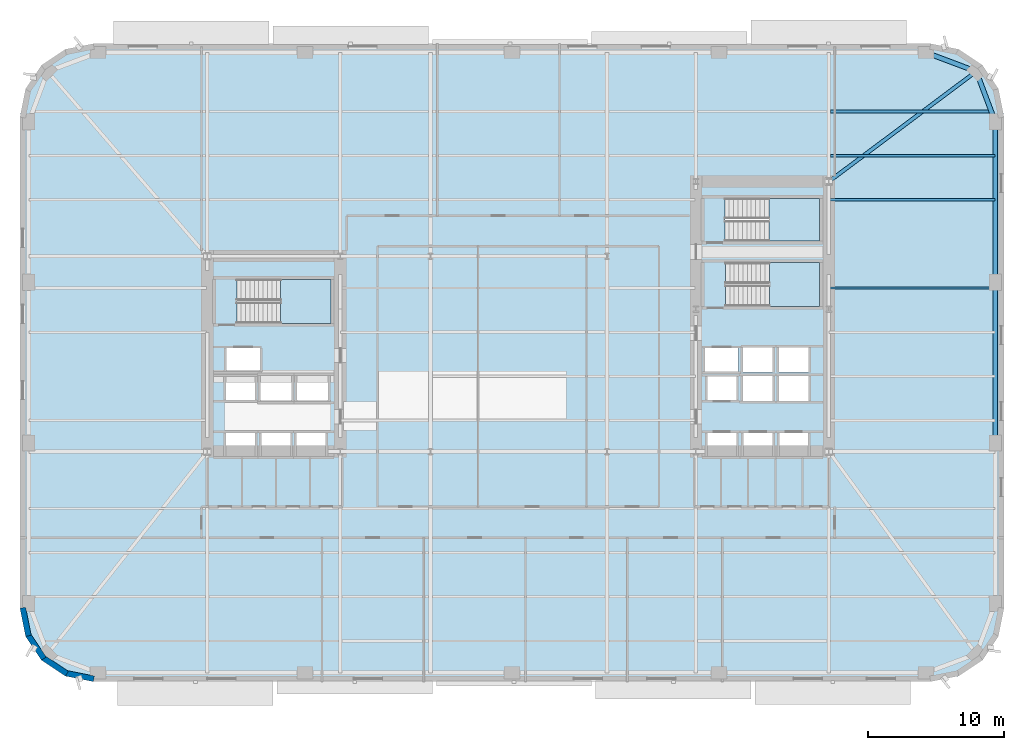
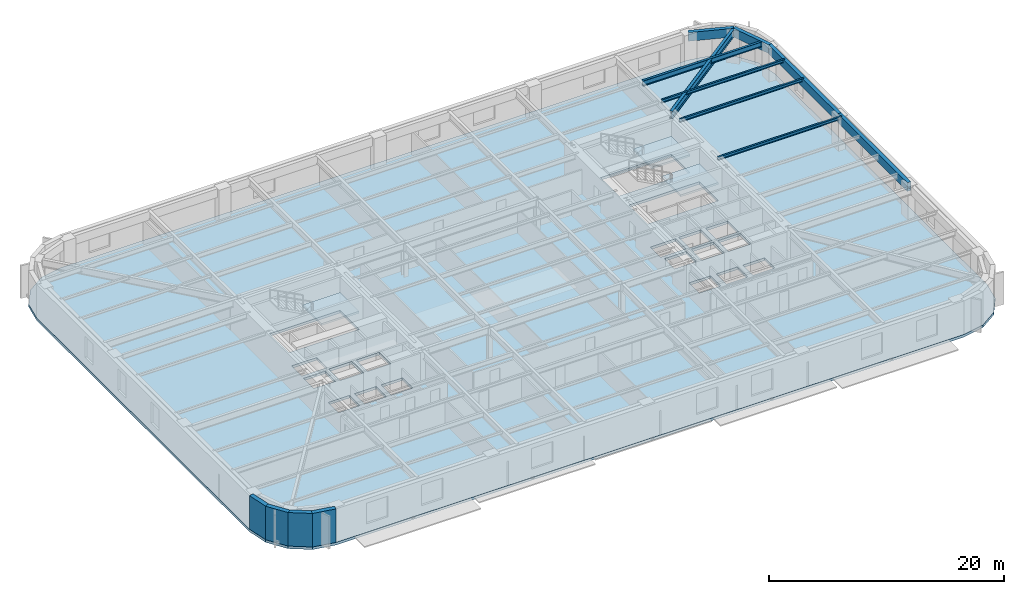
# One storey, part 3 of 15: 9 beams, 4 slabs, 4 walls, 3 elements without a shape of their own.
"""IFC4 building model written with IfcOpenShell, lengths in metres."""

from ifc_helpers import new_model, si_unit, direction, frame, frame_2d, origin, origin_2d, place, context, subcontext, project, spatial, polyline, rectangle, hollow_rectangle, i_section, outline, extrude, material, layer, layer_set, material_profile, profile_set, type_object, element, aggregate, save


model = new_model("IFC4")

# Units and contexts
model_context = context("Model", 3, precision=1e-05, world=origin(), true_north=direction((0.0, 1.0)))
body_context = subcontext(model_context, "Body", "Model", "MODEL_VIEW")
ifc_project = project(units=[si_unit("LENGTHUNIT", "METRE"), si_unit("AREAUNIT", "SQUARE_METRE"), si_unit("VOLUMEUNIT", "CUBIC_METRE"), si_unit("PLANEANGLEUNIT", "RADIAN"), si_unit("MASSUNIT", "GRAM", prefix="KILO")], contexts=[model_context])

# Site, building, storey
site_placement = place(None, origin())
site = spatial("IfcSite", under=ifc_project, at=site_placement, CompositionType="ELEMENT")
building_placement = place(site_placement, origin())
building = spatial("IfcBuilding", under=site, at=building_placement, Name="Kolvaren Arena Tower", CompositionType="ELEMENT")
storey_placement = place(building_placement, frame((0.0, 0.0, 72.0)))
storey = spatial("IfcBuildingStorey", under=building, at=storey_placement, Name="L15", CompositionType="ELEMENT", Elevation=72.0)

# Beams
ifc_material_1 = material(Name="Steel CSA G40.21 350W", Category="steel")
ifc_material_profile_1 = material_profile(ifc_material_1, i_section(OverallWidth=0.2119140625, OverallDepth=0.54296875, WebThickness=0.01318359375, FlangeThickness=0.0244140625, FilletRadius=0.013916015625, at=origin_2d()), Name="W530x150")
ifc_profile_set_1 = profile_set([ifc_material_profile_1], Name="Steel CSA G40.21 350W")
beam_type_1 = type_object("IfcBeamType", Name="BEAM-F1", PredefinedType="BEAM", material=ifc_profile_set_1)
beam_1_placement = place(storey_placement, frame((60.485107421875, 44.5, 3.20849609375), z_axis=(1.0, 0.0, 0.0), x_axis=(0.0, 1.0, 0.0)))
element("IfcBeam", 1, at=beam_1_placement, inside=storey, type_object=beam_type_1, Name="Composite Floor Beam (L15)", PredefinedType="BEAM", context=body_context, shape_type="SweptSolid", body=[
    extrude(i_section(OverallWidth=0.2119140625, OverallDepth=0.54296875, WebThickness=0.01318359375, FlangeThickness=0.0244140625, FilletRadius=0.013916015625, at=origin_2d()), origin(), (0.0, 0.0, 1.0), 11.83349609375),
])
ifc_material_profile_2 = material_profile(ifc_material_1, i_section(OverallWidth=0.27001953125, OverallDepth=0.77294921875, WebThickness=0.019287109375, FlangeThickness=0.033447265625, FilletRadius=0.01806640625, at=origin_2d()), Name="W760x257")
ifc_profile_set_2 = profile_set([ifc_material_profile_2], Name="Steel CSA G40.21 350W")
beam_type_2 = type_object("IfcBeamType", Name="GIRD-T1", PredefinedType="BEAM", material=ifc_profile_set_2)
beam_2_placement = place(storey_placement, frame((71.208740234375, 47.458740234375, 3.093505859375), z_axis=(-0.801249936397, -0.598329791523, 0.0), x_axis=(0.598329791523, -0.801249936397, 0.0)))
element("IfcBeam", 2, at=beam_2_placement, inside=storey, type_object=beam_type_2, Name="Corner Diagonal Tie Girder (L15)", PredefinedType="BEAM", context=body_context, shape_type="SweptSolid", body=[
    extrude(i_section(OverallWidth=0.27001953125, OverallDepth=0.77294921875, WebThickness=0.019287109375, FlangeThickness=0.033447265625, FilletRadius=0.01806640625, at=origin_2d()), origin(), (0.0, 0.0, 1.0), 13.55224609375),
])
ifc_material_profile_3 = material_profile(ifc_material_1, i_section(OverallWidth=0.1669921875, OverallDepth=0.31689453125, WebThickness=0.007568359375, FlangeThickness=0.01318359375, FilletRadius=0.010009765625, at=origin_2d()), Name="W310x52")
ifc_profile_set_3 = profile_set([ifc_material_profile_3], Name="Steel CSA G40.21 350W")
beam_type_3 = type_object("IfcBeamType", Name="JOIST-02", PredefinedType="JOIST", material=ifc_profile_set_3)
for number, where, z_axis, x_axis, name in (
    (3, (60.3701171875, 31.5, 3.321533203125), (1.0, 0.0, 0.0), (0.0, 1.0, 0.0), "Composite Floor Joist (L15)"),
    (4, (60.3701171875, 38.0, 3.321533203125), (1.0, 0.0, 0.0), (0.0, 1.0, 0.0), "Composite Floor Joist (L15)"),
):
    element("IfcBeam", number, at=place(storey_placement, frame(where, z_axis=z_axis, x_axis=x_axis)), inside=storey, type_object=beam_type_3, Name=name, PredefinedType="JOIST", context=body_context, shape_type="SweptSolid", body=[
        extrude(i_section(OverallWidth=0.1669921875, OverallDepth=0.31689453125, WebThickness=0.007568359375, FlangeThickness=0.01318359375, FilletRadius=0.010009765625, at=origin_2d()), origin(), (0.0, 0.0, 1.0), 12.22998046875),
    ])
beam_3_placement = place(storey_placement, frame((60.485107421875, 41.25, 3.321533203125), z_axis=(1.0, 0.0, 0.0), x_axis=(0.0, 1.0, 0.0)))
element("IfcBeam", 5, at=beam_3_placement, inside=storey, type_object=beam_type_3, Name="Composite Floor Joist (L15)", PredefinedType="JOIST", context=body_context, shape_type="SweptSolid", body=[
    extrude(i_section(OverallWidth=0.1669921875, OverallDepth=0.31689453125, WebThickness=0.007568359375, FlangeThickness=0.01318359375, FilletRadius=0.010009765625, at=origin_2d()), origin(), (0.0, 0.0, 1.0), 12.114990234375),
])
ifc_material_2 = material(Name="Steel CSA G40.21 350WT", Category="steel")
ifc_material_profile_4 = material_profile(ifc_material_2, hollow_rectangle(XDim=0.35009765625, YDim=0.89990234375, WallThickness=0.02001953125, at=origin_2d()), Name="HSS 900x350x20")
ifc_profile_set_4 = profile_set([ifc_material_profile_4], Name="Steel CSA G40.21 350WT")
beam_type_4 = type_object("IfcBeamType", Name="SPAND-01", PredefinedType="SPANDREL", material=ifc_profile_set_4)
beam_4_placement = place(storey_placement, frame((72.60009765625, 20.083251953125, 3.030029296875), z_axis=(0.0, 1.0, 0.0), x_axis=(-1.0, 0.0, 0.0)))
element("IfcBeam", 6, at=beam_4_placement, inside=storey, type_object=beam_type_4, Name="Perimeter Spandrel Beam (L15)", PredefinedType="SPANDREL", context=body_context, shape_type="SweptSolid", body=[
    extrude(hollow_rectangle(XDim=0.35009765625, YDim=0.89990234375, WallThickness=0.02001953125, at=origin_2d()), origin(), (0.0, 0.0, 1.0), 11.83349609375),
])
beam_5_placement = place(storey_placement, frame((72.60009765625, 31.916748046875, 3.030029296875), z_axis=(0.0, 1.0, 0.0), x_axis=(-1.0, 0.0, 0.0)))
element("IfcBeam", 7, at=beam_5_placement, inside=storey, type_object=beam_type_4, Name="Perimeter Spandrel Beam (L15)", PredefinedType="SPANDREL", context=body_context, shape_type="SweptSolid", body=[
    extrude(hollow_rectangle(XDim=0.35009765625, YDim=0.89990234375, WallThickness=0.02001953125, at=origin_2d()), origin(), (0.0, 0.0, 1.0), 11.833251953125),
])
for number, where, z_axis, x_axis, name in (
    (8, (72.60009765625, 43.75, 3.030029296875), (-0.351251771955, 0.93628104365, 0.0), (-0.93628104365, -0.351251771955, 0.0), "Perimeter Spandrel Beam (L15)"),
    (9, (71.208740234375, 47.458740234375, 3.030029296875), (-0.93628104365, 0.351251771955, 0.0), (-0.351251771955, -0.93628104365, 0.0), "Perimeter Spandrel Beam (L15)"),
):
    element("IfcBeam", number, at=place(storey_placement, frame(where, z_axis=z_axis, x_axis=x_axis)), inside=storey, type_object=beam_type_4, Name=name, PredefinedType="SPANDREL", context=body_context, shape_type="SweptSolid", body=[
        extrude(hollow_rectangle(XDim=0.35009765625, YDim=0.89990234375, WallThickness=0.02001953125, at=origin_2d()), origin(), (0.0, 0.0, 1.0), 3.961181640625),
    ])

# Stair, slab
ifc_material_3 = material(Name="Concrete 45 MPa", Category="concrete")
stair_type_1 = type_object("IfcStairType", Name="STAIR-CORE-165", PredefinedType="HALF_TURN_STAIR", material=ifc_material_3)
stair_1_placement = place(storey_placement, origin())
stair_1 = element("IfcStair", 10, at=stair_1_placement, inside=storey, type_object=stair_type_1, Name="L15 ST-W1", PredefinedType="HALF_TURN_STAIR")
ifc_layer_1 = layer(ifc_material_3, 0.199951171875)
ifc_layer_set_1 = layer_set([ifc_layer_1], Name="Concrete 45 MPa")
slab_type_1 = type_object("IfcSlabType", Name="SLAB-LAND", PredefinedType="LANDING", material=ifc_layer_set_1)
slab_1_placement = place(storey_placement, frame((0.0, 0.0, 1.675048828125)))
slab_1 = element("IfcSlab", 11, at=slab_1_placement, type_object=slab_type_1, Name="ST-W1 landing 1", PredefinedType="LANDING", context=body_context, shape_type="SweptSolid", body=[
    extrude(outline(polyline([(19.9599609375, 28.89990234375), (23.659912109375, 28.89990234375), (23.659912109375, 32.1298828125), (19.9599609375, 32.1298828125), (19.9599609375, 28.89990234375)])), origin(), (0.0, 0.0, 1.0), 0.199951171875),
])
aggregate(stair_1, [slab_1])

stair_2_placement = place(storey_placement, origin())
stair_2 = element("IfcStair", 12, at=stair_2_placement, inside=storey, type_object=stair_type_1, Name="L15 ST-E1", PredefinedType="HALF_TURN_STAIR")
slab_2_placement = place(storey_placement, frame((0.0, 0.0, 1.675048828125)))
slab_2 = element("IfcSlab", 13, at=slab_2_placement, type_object=slab_type_1, Name="ST-E1 landing 1", PredefinedType="LANDING", context=body_context, shape_type="SweptSolid", body=[
    extrude(outline(polyline([(55.9599609375, 30.14990234375), (59.659912109375, 30.14990234375), (59.659912109375, 33.3798828125), (55.9599609375, 33.3798828125), (55.9599609375, 30.14990234375)])), origin(), (0.0, 0.0, 1.0), 0.199951171875),
])
aggregate(stair_2, [slab_2])

stair_type_2 = type_object("IfcStairType", Name="STAIR-CORE-150", PredefinedType="HALF_TURN_STAIR", material=ifc_material_3)
stair_3_placement = place(storey_placement, origin())
stair_3 = element("IfcStair", 14, at=stair_3_placement, inside=storey, type_object=stair_type_2, Name="L15 ST-E2", PredefinedType="HALF_TURN_STAIR")
slab_3_placement = place(storey_placement, frame((0.0, 0.0, 1.675048828125)))
slab_3 = element("IfcSlab", 15, at=slab_3_placement, type_object=slab_type_1, Name="ST-E2 landing 1", PredefinedType="LANDING", context=body_context, shape_type="SweptSolid", body=[
    extrude(outline(polyline([(55.919921875, 34.949951171875), (59.659912109375, 34.949951171875), (59.659912109375, 38.10009765625), (55.919921875, 38.10009765625), (55.919921875, 34.949951171875)])), origin(), (0.0, 0.0, 1.0), 0.199951171875),
])
aggregate(stair_3, [slab_3])

# Slab
ifc_layer_2 = layer(ifc_material_3, 0.27001953125)
ifc_layer_set_2 = layer_set([ifc_layer_2], Name="Concrete 45 MPa")
slab_type_2 = type_object("IfcSlabType", Name="SLAB-OFF2", PredefinedType="FLOOR", material=ifc_layer_set_2)
slab_4_placement = place(storey_placement, frame((0.0, 0.0, -0.27001953125)))
element("IfcSlab", 16, at=slab_4_placement, inside=storey, type_object=slab_type_2, Name="L15 Primary Structural Slab", PredefinedType="FLOOR", context=body_context, shape_type="SweptSolid", body=[
    extrude(outline(polyline([(67.85009765625, 2.5), (69.91650390625, 2.9111328125), (71.66845703125, 4.08154296875), (72.8388671875, 5.83349609375), (73.25, 7.89990234375), (73.25, 44.10009765625), (72.8388671875, 46.16650390625), (71.66845703125, 47.91845703125), (69.91650390625, 49.0888671875), (67.85009765625, 49.5), (6.14990234375, 49.5), (4.08349609375, 49.0888671875), (2.33154296875, 47.91845703125), (1.1611328125, 46.16650390625), (0.75, 44.10009765625), (0.75, 7.89990234375), (1.1611328125, 5.83349609375), (2.33154296875, 4.08154296875), (4.08349609375, 2.9111328125), (6.14990234375, 2.5), (67.85009765625, 2.5)]), holes=[polyline([(15.93505859375, 19.0849609375), (15.93505859375, 20.81494140625), (18.06494140625, 20.81494140625), (18.06494140625, 19.0849609375), (15.93505859375, 19.0849609375)]), polyline([(18.534912109375, 19.0849609375), (18.534912109375, 20.81494140625), (20.6650390625, 20.81494140625), (20.6650390625, 19.0849609375), (18.534912109375, 19.0849609375)]), polyline([(21.135009765625, 19.0849609375), (21.135009765625, 20.81494140625), (23.264892578125, 20.81494140625), (23.264892578125, 19.0849609375), (21.135009765625, 19.0849609375)]), polyline([(51.39501953125, 19.0849609375), (51.39501953125, 20.81494140625), (53.52490234375, 20.81494140625), (53.52490234375, 19.0849609375), (51.39501953125, 19.0849609375)]), polyline([(54.054931640625, 19.0849609375), (54.054931640625, 20.81494140625), (56.18505859375, 20.81494140625), (56.18505859375, 19.0849609375), (54.054931640625, 19.0849609375)]), polyline([(56.695068359375, 19.0849609375), (56.695068359375, 20.81494140625), (58.824951171875, 20.81494140625), (58.824951171875, 19.0849609375), (56.695068359375, 19.0849609375)]), polyline([(18.4599609375, 23.135009765625), (18.4599609375, 25.06494140625), (20.739990234375, 25.06494140625), (20.739990234375, 23.135009765625), (18.4599609375, 23.135009765625)]), polyline([(21.159912109375, 23.135009765625), (21.159912109375, 25.06494140625), (23.43994140625, 25.06494140625), (23.43994140625, 23.135009765625), (21.159912109375, 23.135009765625)]), polyline([(54.030029296875, 25.014892578125), (56.2099609375, 25.014892578125), (56.2099609375, 23.18505859375), (54.030029296875, 23.18505859375), (54.030029296875, 25.014892578125)]), polyline([(56.669921875, 25.014892578125), (58.85009765625, 25.014892578125), (58.85009765625, 23.18505859375), (56.669921875, 23.18505859375), (56.669921875, 25.014892578125)]), polyline([(15.93505859375, 23.235107421875), (15.93505859375, 24.965087890625), (18.06494140625, 24.965087890625), (18.06494140625, 23.235107421875), (15.93505859375, 23.235107421875)]), polyline([(51.39501953125, 24.965087890625), (53.52490234375, 24.965087890625), (53.52490234375, 23.235107421875), (51.39501953125, 23.235107421875), (51.39501953125, 24.965087890625)]), polyline([(54.030029296875, 25.284912109375), (54.030029296875, 27.114990234375), (56.2099609375, 27.114990234375), (56.2099609375, 25.284912109375), (54.030029296875, 25.284912109375)]), polyline([(56.669921875, 25.284912109375), (56.669921875, 27.114990234375), (58.85009765625, 27.114990234375), (58.85009765625, 25.284912109375), (56.669921875, 25.284912109375)]), polyline([(15.9599609375, 27.06494140625), (18.43994140625, 27.06494140625), (18.43994140625, 25.3349609375), (15.9599609375, 25.3349609375), (15.9599609375, 27.06494140625)]), polyline([(51.219970703125, 25.3349609375), (51.219970703125, 27.06494140625), (53.699951171875, 27.06494140625), (53.699951171875, 25.3349609375), (51.219970703125, 25.3349609375)]), polyline([(16.735107421875, 28.89990234375), (16.735107421875, 32.1298828125), (23.659912109375, 32.1298828125), (23.659912109375, 28.89990234375), (16.735107421875, 28.89990234375)]), polyline([(52.735107421875, 33.3798828125), (59.659912109375, 33.3798828125), (59.659912109375, 30.14990234375), (52.735107421875, 30.14990234375), (52.735107421875, 33.3798828125)]), polyline([(52.695068359375, 38.10009765625), (59.659912109375, 38.10009765625), (59.659912109375, 34.949951171875), (52.695068359375, 34.949951171875), (52.695068359375, 38.10009765625)])]), origin(), (0.0, 0.0, 1.0), 0.27001953125),
])

# Walls
ifc_material_4 = material(Name="Precast concrete C50/60", Category="concrete")
ifc_layer_3 = layer(ifc_material_4, 0.419921875)
ifc_layer_set_3 = layer_set([ifc_layer_3], Name="Precast concrete C50/60")
wall_type = type_object("IfcWallType", Name="EXT-PIER1", PredefinedType="SOLIDWALL", material=ifc_layer_set_3)
for number, where, z_axis, x_axis, name in (
    (17, (1.3671875, 5.87451171875, 0.0), (0.0, 0.0, 1.0), (-0.195135546048, 0.9807762837, 0.0), "Exterior Precast Masonry-Frame Wall (L15)"),
    (18, (2.506103515625, 4.1982421875, 0.0), (0.0, 0.0, 1.0), (-0.555502146192, 0.831515102434, 0.0), "Exterior Precast Masonry-Frame Wall (L15)"),
    (19, (4.2001953125, 3.085693359375, 0.0), (0.0, 0.0, 1.0), (-0.831515102434, 0.555502146192, 0.0), "Exterior Precast Masonry-Frame Wall (L15)"),
    (20, (6.19091796875, 2.7060546875, 0.0), (0.0, 0.0, 1.0), (-0.9807762837, 0.195135546048, 0.0), "Exterior Precast Masonry-Frame Wall (L15)"),
):
    element("IfcWall", number, at=place(storey_placement, frame(where, z_axis=z_axis, x_axis=x_axis)), inside=storey, type_object=wall_type, Name=name, PredefinedType="SOLIDWALL", context=body_context, shape_type="SweptSolid", body=[
        extrude(rectangle(XDim=2.10693359375, YDim=0.419921875, at=frame_2d((1.053466796875, 0.0))), origin(), (0.0, 0.0, 1.0), 3.47998046875),
    ])

save(model, "model.ifc")
